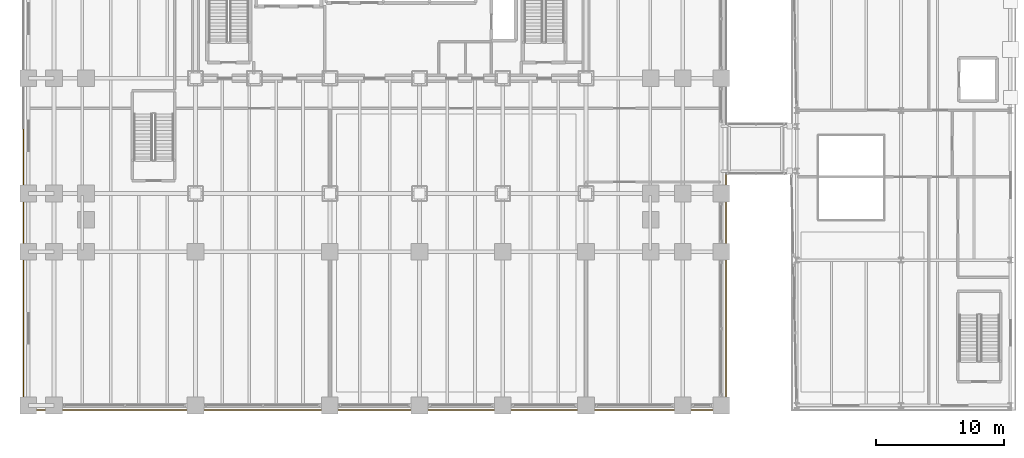
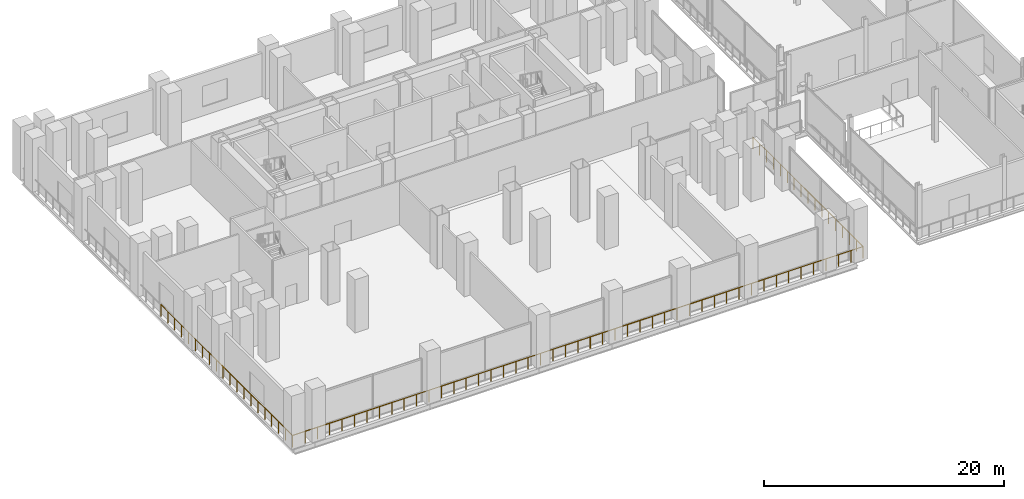
# One storey, part 26 of 31: 1 railing.
"""IFC4 building model written with IfcOpenShell, lengths in metres."""

from ifc_helpers import new_model, si_unit, direction, frame, origin, origin_2d, place, context, subcontext, project, spatial, circle, extrude, material, layer, layer_set, type_object, element, save


model = new_model("IFC4")

# Units and contexts
model_context = context("Model", 3, precision=1e-05, world=origin(), true_north=direction((0.0, 1.0)))
body_context = subcontext(model_context, "Body", "Model", "MODEL_VIEW")
ifc_project = project(units=[si_unit("LENGTHUNIT", "METRE"), si_unit("AREAUNIT", "SQUARE_METRE"), si_unit("VOLUMEUNIT", "CUBIC_METRE"), si_unit("PLANEANGLEUNIT", "RADIAN"), si_unit("MASSUNIT", "GRAM", prefix="KILO")], contexts=[model_context])

# Site, building, storey
site_placement = place(None, origin())
site = spatial("IfcSite", under=ifc_project, at=site_placement, CompositionType="ELEMENT")
building_placement = place(site_placement, origin())
building = spatial("IfcBuilding", under=site, at=building_placement, Name="Noeulbin Bourse Tower", CompositionType="ELEMENT")
storey_placement = place(building_placement, frame((0.0, 0.0, 11.199951171875)))
storey = spatial("IfcBuildingStorey", under=building, at=storey_placement, Name="L03", CompositionType="ELEMENT", Elevation=11.199951171875)

# Railing
ifc_material = material(Name="Stainless Steel 316 Post and Rail", Category="steel")
ifc_layer = layer(ifc_material, 0.06005859375)
ifc_layer_set = layer_set([ifc_layer], Name="Stainless Steel 316 Post and Rail")
railing_type = type_object("IfcRailingType", Name="RLG-TER-1200", PredefinedType="GUARDRAIL", material=ifc_layer_set)
railing_placement = place(storey_placement, frame((54.919921875, 21.449951171875, 0.0)))
element("IfcRailing", 1, at=railing_placement, inside=storey, type_object=railing_type, Name="Podium Perimeter Edge Guard L03-1", PredefinedType="GUARDRAIL", context=body_context, shape_type="SweptSolid", body=[
    extrude(circle(Radius=0.02392578125, at=origin_2d()), frame((0.0, 0.0, 1.17578125), z_axis=(0.0, -1.0, 0.0), x_axis=(1.0, 0.0, 0.0)), (0.0, 0.0, 1.0), 18.369873046875),
    extrude(circle(Radius=0.02392578125, at=origin_2d()), frame((0.0, -18.369873046875, 1.17578125), z_axis=(-1.0, 0.0, 0.0), x_axis=(0.0, -1.0, 0.0)), (0.0, 0.0, 1.0), 54.83984375),
    extrude(circle(Radius=0.02392578125, at=origin_2d()), frame((-54.83984375, -18.369873046875, 1.17578125), z_axis=(0.0, 1.0, 0.0), x_axis=(-1.0, 0.0, 0.0)), (0.0, 0.0, 1.0), 21.919921875),
    extrude(circle(Radius=0.02099609375, at=origin_2d()), origin(), (0.0, 0.0, 1.0), 1.15185546875),
    extrude(circle(Radius=0.02099609375, at=origin_2d()), frame((0.0, -1.148193359375, 0.0)), (0.0, 0.0, 1.0), 1.15185546875),
    extrude(circle(Radius=0.02099609375, at=origin_2d()), frame((0.0, -2.296142578125, 0.0)), (0.0, 0.0, 1.0), 1.15185546875),
    extrude(circle(Radius=0.02099609375, at=origin_2d()), frame((0.0, -3.4443359375, 0.0)), (0.0, 0.0, 1.0), 1.15185546875),
    extrude(circle(Radius=0.02099609375, at=origin_2d()), frame((0.0, -4.592529296875, 0.0)), (0.0, 0.0, 1.0), 1.15185546875),
    extrude(circle(Radius=0.02099609375, at=origin_2d()), frame((0.0, -5.740478515625, 0.0)), (0.0, 0.0, 1.0), 1.15185546875),
    extrude(circle(Radius=0.02099609375, at=origin_2d()), frame((0.0, -6.888671875, 0.0)), (0.0, 0.0, 1.0), 1.15185546875),
    extrude(circle(Radius=0.02099609375, at=origin_2d()), frame((0.0, -8.036865234375, 0.0)), (0.0, 0.0, 1.0), 1.15185546875),
    extrude(circle(Radius=0.02099609375, at=origin_2d()), frame((0.0, -9.18505859375, 0.0)), (0.0, 0.0, 1.0), 1.15185546875),
    extrude(circle(Radius=0.02099609375, at=origin_2d()), frame((0.0, -10.3330078125, 0.0)), (0.0, 0.0, 1.0), 1.15185546875),
    extrude(circle(Radius=0.02099609375, at=origin_2d()), frame((0.0, -11.481201171875, 0.0)), (0.0, 0.0, 1.0), 1.15185546875),
    extrude(circle(Radius=0.02099609375, at=origin_2d()), frame((0.0, -12.62939453125, 0.0)), (0.0, 0.0, 1.0), 1.15185546875),
    extrude(circle(Radius=0.02099609375, at=origin_2d()), frame((0.0, -13.77734375, 0.0)), (0.0, 0.0, 1.0), 1.15185546875),
    extrude(circle(Radius=0.02099609375, at=origin_2d()), frame((0.0, -14.925537109375, 0.0)), (0.0, 0.0, 1.0), 1.15185546875),
    extrude(circle(Radius=0.02099609375, at=origin_2d()), frame((0.0, -16.07373046875, 0.0)), (0.0, 0.0, 1.0), 1.15185546875),
    extrude(circle(Radius=0.02099609375, at=origin_2d()), frame((0.0, -17.2216796875, 0.0)), (0.0, 0.0, 1.0), 1.15185546875),
    extrude(circle(Radius=0.02099609375, at=origin_2d()), frame((0.0, -18.369873046875, 0.0)), (0.0, 0.0, 1.0), 1.15185546875),
    extrude(circle(Radius=0.02099609375, at=origin_2d()), frame((-1.192138671875, -18.369873046875, 0.0)), (0.0, 0.0, 1.0), 1.15185546875),
    extrude(circle(Radius=0.02099609375, at=origin_2d()), frame((-2.38427734375, -18.369873046875, 0.0)), (0.0, 0.0, 1.0), 1.15185546875),
    extrude(circle(Radius=0.02099609375, at=origin_2d()), frame((-3.576416015625, -18.369873046875, 0.0)), (0.0, 0.0, 1.0), 1.15185546875),
    extrude(circle(Radius=0.02099609375, at=origin_2d()), frame((-4.768798828125, -18.369873046875, 0.0)), (0.0, 0.0, 1.0), 1.15185546875),
    extrude(circle(Radius=0.02099609375, at=origin_2d()), frame((-5.9609375, -18.369873046875, 0.0)), (0.0, 0.0, 1.0), 1.15185546875),
    extrude(circle(Radius=0.02099609375, at=origin_2d()), frame((-7.153076171875, -18.369873046875, 0.0)), (0.0, 0.0, 1.0), 1.15185546875),
    extrude(circle(Radius=0.02099609375, at=origin_2d()), frame((-8.34521484375, -18.369873046875, 0.0)), (0.0, 0.0, 1.0), 1.15185546875),
    extrude(circle(Radius=0.02099609375, at=origin_2d()), frame((-9.537353515625, -18.369873046875, 0.0)), (0.0, 0.0, 1.0), 1.15185546875),
    extrude(circle(Radius=0.02099609375, at=origin_2d()), frame((-10.7294921875, -18.369873046875, 0.0)), (0.0, 0.0, 1.0), 1.15185546875),
    extrude(circle(Radius=0.02099609375, at=origin_2d()), frame((-11.921630859375, -18.369873046875, 0.0)), (0.0, 0.0, 1.0), 1.15185546875),
    extrude(circle(Radius=0.02099609375, at=origin_2d()), frame((-13.11376953125, -18.369873046875, 0.0)), (0.0, 0.0, 1.0), 1.15185546875),
    extrude(circle(Radius=0.02099609375, at=origin_2d()), frame((-14.30615234375, -18.369873046875, 0.0)), (0.0, 0.0, 1.0), 1.15185546875),
    extrude(circle(Radius=0.02099609375, at=origin_2d()), frame((-15.498291015625, -18.369873046875, 0.0)), (0.0, 0.0, 1.0), 1.15185546875),
    extrude(circle(Radius=0.02099609375, at=origin_2d()), frame((-16.6904296875, -18.369873046875, 0.0)), (0.0, 0.0, 1.0), 1.15185546875),
    extrude(circle(Radius=0.02099609375, at=origin_2d()), frame((-17.882568359375, -18.369873046875, 0.0)), (0.0, 0.0, 1.0), 1.15185546875),
    extrude(circle(Radius=0.02099609375, at=origin_2d()), frame((-19.07470703125, -18.369873046875, 0.0)), (0.0, 0.0, 1.0), 1.15185546875),
    extrude(circle(Radius=0.02099609375, at=origin_2d()), frame((-20.266845703125, -18.369873046875, 0.0)), (0.0, 0.0, 1.0), 1.15185546875),
    extrude(circle(Radius=0.02099609375, at=origin_2d()), frame((-21.458984375, -18.369873046875, 0.0)), (0.0, 0.0, 1.0), 1.15185546875),
    extrude(circle(Radius=0.02099609375, at=origin_2d()), frame((-22.651123046875, -18.369873046875, 0.0)), (0.0, 0.0, 1.0), 1.15185546875),
    extrude(circle(Radius=0.02099609375, at=origin_2d()), frame((-23.843505859375, -18.369873046875, 0.0)), (0.0, 0.0, 1.0), 1.15185546875),
    extrude(circle(Radius=0.02099609375, at=origin_2d()), frame((-25.03564453125, -18.369873046875, 0.0)), (0.0, 0.0, 1.0), 1.15185546875),
    extrude(circle(Radius=0.02099609375, at=origin_2d()), frame((-26.227783203125, -18.369873046875, 0.0)), (0.0, 0.0, 1.0), 1.15185546875),
    extrude(circle(Radius=0.02099609375, at=origin_2d()), frame((-27.419921875, -18.369873046875, 0.0)), (0.0, 0.0, 1.0), 1.15185546875),
    extrude(circle(Radius=0.02099609375, at=origin_2d()), frame((-28.612060546875, -18.369873046875, 0.0)), (0.0, 0.0, 1.0), 1.15185546875),
    extrude(circle(Radius=0.02099609375, at=origin_2d()), frame((-29.80419921875, -18.369873046875, 0.0)), (0.0, 0.0, 1.0), 1.15185546875),
    extrude(circle(Radius=0.02099609375, at=origin_2d()), frame((-30.996337890625, -18.369873046875, 0.0)), (0.0, 0.0, 1.0), 1.15185546875),
    extrude(circle(Radius=0.02099609375, at=origin_2d()), frame((-32.188720703125, -18.369873046875, 0.0)), (0.0, 0.0, 1.0), 1.15185546875),
    extrude(circle(Radius=0.02099609375, at=origin_2d()), frame((-33.380859375, -18.369873046875, 0.0)), (0.0, 0.0, 1.0), 1.15185546875),
    extrude(circle(Radius=0.02099609375, at=origin_2d()), frame((-34.572998046875, -18.369873046875, 0.0)), (0.0, 0.0, 1.0), 1.15185546875),
    extrude(circle(Radius=0.02099609375, at=origin_2d()), frame((-35.76513671875, -18.369873046875, 0.0)), (0.0, 0.0, 1.0), 1.15185546875),
    extrude(circle(Radius=0.02099609375, at=origin_2d()), frame((-36.957275390625, -18.369873046875, 0.0)), (0.0, 0.0, 1.0), 1.15185546875),
    extrude(circle(Radius=0.02099609375, at=origin_2d()), frame((-38.1494140625, -18.369873046875, 0.0)), (0.0, 0.0, 1.0), 1.15185546875),
    extrude(circle(Radius=0.02099609375, at=origin_2d()), frame((-39.341552734375, -18.369873046875, 0.0)), (0.0, 0.0, 1.0), 1.15185546875),
    extrude(circle(Radius=0.02099609375, at=origin_2d()), frame((-40.53369140625, -18.369873046875, 0.0)), (0.0, 0.0, 1.0), 1.15185546875),
    extrude(circle(Radius=0.02099609375, at=origin_2d()), frame((-41.72607421875, -18.369873046875, 0.0)), (0.0, 0.0, 1.0), 1.15185546875),
    extrude(circle(Radius=0.02099609375, at=origin_2d()), frame((-42.918212890625, -18.369873046875, 0.0)), (0.0, 0.0, 1.0), 1.15185546875),
    extrude(circle(Radius=0.02099609375, at=origin_2d()), frame((-44.1103515625, -18.369873046875, 0.0)), (0.0, 0.0, 1.0), 1.15185546875),
    extrude(circle(Radius=0.02099609375, at=origin_2d()), frame((-45.302490234375, -18.369873046875, 0.0)), (0.0, 0.0, 1.0), 1.15185546875),
    extrude(circle(Radius=0.02099609375, at=origin_2d()), frame((-46.49462890625, -18.369873046875, 0.0)), (0.0, 0.0, 1.0), 1.15185546875),
    extrude(circle(Radius=0.02099609375, at=origin_2d()), frame((-47.686767578125, -18.369873046875, 0.0)), (0.0, 0.0, 1.0), 1.15185546875),
    extrude(circle(Radius=0.02099609375, at=origin_2d()), frame((-48.87890625, -18.369873046875, 0.0)), (0.0, 0.0, 1.0), 1.15185546875),
    extrude(circle(Radius=0.02099609375, at=origin_2d()), frame((-50.071044921875, -18.369873046875, 0.0)), (0.0, 0.0, 1.0), 1.15185546875),
    extrude(circle(Radius=0.02099609375, at=origin_2d()), frame((-51.263427734375, -18.369873046875, 0.0)), (0.0, 0.0, 1.0), 1.15185546875),
    extrude(circle(Radius=0.02099609375, at=origin_2d()), frame((-52.45556640625, -18.369873046875, 0.0)), (0.0, 0.0, 1.0), 1.15185546875),
    extrude(circle(Radius=0.02099609375, at=origin_2d()), frame((-53.647705078125, -18.369873046875, 0.0)), (0.0, 0.0, 1.0), 1.15185546875),
    extrude(circle(Radius=0.02099609375, at=origin_2d()), frame((-54.83984375, -18.369873046875, 0.0)), (0.0, 0.0, 1.0), 1.15185546875),
    extrude(circle(Radius=0.02099609375, at=origin_2d()), frame((-54.83984375, -17.21630859375, 0.0)), (0.0, 0.0, 1.0), 1.15185546875),
    extrude(circle(Radius=0.02099609375, at=origin_2d()), frame((-54.83984375, -16.0625, 0.0)), (0.0, 0.0, 1.0), 1.15185546875),
    extrude(circle(Radius=0.02099609375, at=origin_2d()), frame((-54.83984375, -14.908935546875, 0.0)), (0.0, 0.0, 1.0), 1.15185546875),
    extrude(circle(Radius=0.02099609375, at=origin_2d()), frame((-54.83984375, -13.755126953125, 0.0)), (0.0, 0.0, 1.0), 1.15185546875),
    extrude(circle(Radius=0.02099609375, at=origin_2d()), frame((-54.83984375, -12.6015625, 0.0)), (0.0, 0.0, 1.0), 1.15185546875),
    extrude(circle(Radius=0.02099609375, at=origin_2d()), frame((-54.83984375, -11.44775390625, 0.0)), (0.0, 0.0, 1.0), 1.15185546875),
    extrude(circle(Radius=0.02099609375, at=origin_2d()), frame((-54.83984375, -10.294189453125, 0.0)), (0.0, 0.0, 1.0), 1.15185546875),
    extrude(circle(Radius=0.02099609375, at=origin_2d()), frame((-54.83984375, -9.140380859375, 0.0)), (0.0, 0.0, 1.0), 1.15185546875),
    extrude(circle(Radius=0.02099609375, at=origin_2d()), frame((-54.83984375, -7.98681640625, 0.0)), (0.0, 0.0, 1.0), 1.15185546875),
    extrude(circle(Radius=0.02099609375, at=origin_2d()), frame((-54.83984375, -6.8330078125, 0.0)), (0.0, 0.0, 1.0), 1.15185546875),
    extrude(circle(Radius=0.02099609375, at=origin_2d()), frame((-54.83984375, -5.679443359375, 0.0)), (0.0, 0.0, 1.0), 1.15185546875),
    extrude(circle(Radius=0.02099609375, at=origin_2d()), frame((-54.83984375, -4.525634765625, 0.0)), (0.0, 0.0, 1.0), 1.15185546875),
    extrude(circle(Radius=0.02099609375, at=origin_2d()), frame((-54.83984375, -3.3720703125, 0.0)), (0.0, 0.0, 1.0), 1.15185546875),
    extrude(circle(Radius=0.02099609375, at=origin_2d()), frame((-54.83984375, -2.21826171875, 0.0)), (0.0, 0.0, 1.0), 1.15185546875),
    extrude(circle(Radius=0.02099609375, at=origin_2d()), frame((-54.83984375, -1.064697265625, 0.0)), (0.0, 0.0, 1.0), 1.15185546875),
    extrude(circle(Radius=0.02099609375, at=origin_2d()), frame((-54.83984375, 0.089111328125, 0.0)), (0.0, 0.0, 1.0), 1.15185546875),
    extrude(circle(Radius=0.02099609375, at=origin_2d()), frame((-54.83984375, 1.24267578125, 0.0)), (0.0, 0.0, 1.0), 1.15185546875),
    extrude(circle(Radius=0.02099609375, at=origin_2d()), frame((-54.83984375, 2.396484375, 0.0)), (0.0, 0.0, 1.0), 1.15185546875),
    extrude(circle(Radius=0.02099609375, at=origin_2d()), frame((-54.83984375, 3.550048828125, 0.0)), (0.0, 0.0, 1.0), 1.15185546875),
])

save(model, "model.ifc")
